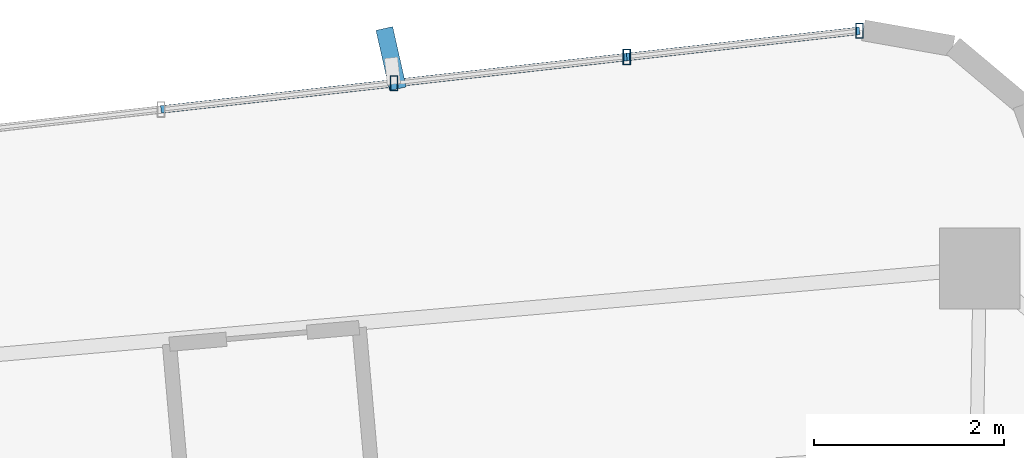
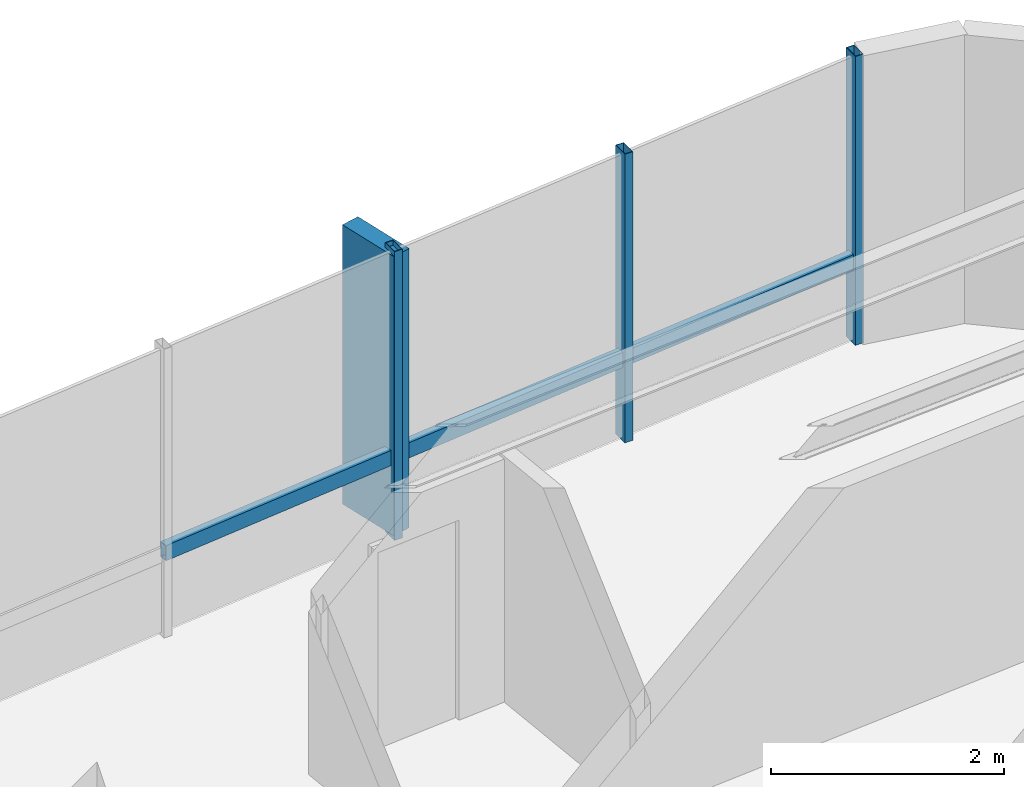
# One storey, part 18 of 24: 7 members, 1 element without a shape of its own.
"""IFC4 building model written with IfcOpenShell, lengths in metres."""

from ifc_helpers import new_model, si_unit, direction, frame, origin, origin_2d, place, context, subcontext, project, spatial, rectangle, hollow_rectangle, extrude, source, transform, mapped, material, material_profile, profile_set, type_object, element, aggregate, save


model = new_model("IFC4")

# Units and contexts
model_context = context("Model", 3, precision=1e-05, world=origin(), true_north=direction((0.0, 1.0)))
body_context = subcontext(model_context, "Body", "Model", "MODEL_VIEW")
ifc_project = project(units=[si_unit("LENGTHUNIT", "METRE"), si_unit("AREAUNIT", "SQUARE_METRE"), si_unit("VOLUMEUNIT", "CUBIC_METRE"), si_unit("PLANEANGLEUNIT", "RADIAN"), si_unit("MASSUNIT", "GRAM", prefix="KILO")], contexts=[model_context])

# Site, building, storey
site_placement = place(None, origin())
site = spatial("IfcSite", under=ifc_project, at=site_placement, CompositionType="ELEMENT")
building_placement = place(site_placement, origin())
building = spatial("IfcBuilding", under=site, at=building_placement, Name="Sahyath Konkavel Grand Hotel", CompositionType="ELEMENT")
storey_placement = place(building_placement, frame((0.0, 0.0, 198.64990234375)))
storey = spatial("IfcBuildingStorey", under=building, at=storey_placement, Name="L55", CompositionType="ELEMENT", Elevation=198.64990234375)

# Curtain wall, members
ifc_material_1 = material(Name="Anodised Bronze Aluminium & Low-E Glazing", Category="aluminium")
curtain_wall_type = type_object("IfcCurtainWallType", Name="CW-ZONE3", PredefinedType="NOTDEFINED", material=ifc_material_1)
curtain_wall_placement = place(storey_placement, origin())
curtain_wall = element("IfcCurtainWall", 1, at=curtain_wall_placement, inside=storey, type_object=curtain_wall_type, Name="L55 Unitised Curtain Wall F12", PredefinedType="NOTDEFINED")
ifc_material_2 = material(Name="Anodised Bronze Aluminium", Category="aluminium")
ifc_material_profile_1 = material_profile(ifc_material_2, hollow_rectangle(XDim=0.080078125, YDim=0.159912109375, WallThickness=0.006103515625, at=origin_2d()), Name="RHS 160x80x6")
ifc_profile_set_1 = profile_set([ifc_material_profile_1], Name="Anodised Bronze Aluminium")
member_type_1 = type_object("IfcMemberType", Name="CW-MUL-160", PredefinedType="MULLION", material=ifc_profile_set_1)
shared_shape_1 = source(origin(), body_context, "Body", "SweptSolid", [
    extrude(hollow_rectangle(XDim=0.080078125, YDim=0.159912109375, WallThickness=0.006103515625, at=origin_2d()), origin(), (0.0, 0.0, 1.0), 3.030029296875),
])
member_1_placement = place(storey_placement, frame((2.673828125, 20.610595703125, 0.0), z_axis=(0.0, 0.0, 1.0), x_axis=(1.0, 0.0, 0.0)))
member_1 = element("IfcMember", 2, at=member_1_placement, type_object=member_type_1, Name="L55 Curtain Wall Mullion F12-0", PredefinedType="MULLION", context=body_context, shape_type="MappedRepresentation", body=[
    mapped(shared_shape_1, transform((0.0, 0.0, 0.0), scale=1.0)),
])
member_2_placement = place(storey_placement, frame((0.227294921875, 20.334716796875, 0.0), z_axis=(0.0, 0.0, 1.0), x_axis=(1.0, 0.0, 0.0)))
member_2 = element("IfcMember", 3, at=member_2_placement, type_object=member_type_1, Name="L55 Curtain Wall Mullion F12-1", PredefinedType="MULLION", context=body_context, shape_type="MappedRepresentation", body=[
    mapped(shared_shape_1, transform((0.0, 0.0, 0.0), scale=1.0)),
])
member_3_placement = place(storey_placement, frame((-2.21923828125, 20.05908203125, 0.0), z_axis=(0.0, 0.0, 1.0), x_axis=(1.0, 0.0, 0.0)))
member_3 = element("IfcMember", 4, at=member_3_placement, type_object=member_type_1, Name="L55 Curtain Wall Mullion F12-2", PredefinedType="MULLION", context=body_context, shape_type="MappedRepresentation", body=[
    mapped(shared_shape_1, transform((0.0, 0.0, 0.0), scale=1.0)),
])
ifc_material_3 = material(Name="Warm Buff Sandstone Cladding on Concrete C50/60", Category="masonry")
ifc_material_profile_2 = material_profile(ifc_material_3, rectangle(XDim=0.179931640625, YDim=0.64990234375, at=origin_2d()), Name="FIN 180x650")
ifc_profile_set_2 = profile_set([ifc_material_profile_2], Name="Warm Buff Sandstone Cladding on Concrete C50/60")
member_type_2 = type_object("IfcMemberType", Name="FIN-SANDSTONE-650", PredefinedType="MULLION", material=ifc_profile_set_2)
shared_shape_2 = source(origin(), body_context, "Body", "SweptSolid", [
    extrude(rectangle(XDim=0.179931640625, YDim=0.64990234375, at=origin_2d()), origin(), (0.0, 0.0, 1.0), 2.929931640625),
])
member_4_placement = place(storey_placement, frame((-2.248291015625, 20.3173828125, 0.050048828125), z_axis=(0.0, 0.0, 1.0), x_axis=(0.975419299024, 0.220356962886, 0.0)))
member_4 = element("IfcMember", 5, at=member_4_placement, type_object=member_type_2, Name="L55 Sandstone Vertical Solar Fin FIN F12-2", PredefinedType="MULLION", context=body_context, shape_type="MappedRepresentation", body=[
    mapped(shared_shape_2, transform((0.0, 0.0, 0.0), scale=1.0)),
])
ifc_material_profile_3 = material_profile(ifc_material_2, hollow_rectangle(XDim=0.080078125, YDim=0.159912109375, WallThickness=0.006103515625, at=origin_2d()), Name="RHS 160x80x6")
ifc_profile_set_3 = profile_set([ifc_material_profile_3], Name="Anodised Bronze Aluminium")
member_type_3 = type_object("IfcMemberType", Name="CW-TRN-160", PredefinedType="USERDEFINED", material=ifc_profile_set_3)
shared_shape_3 = source(origin(), body_context, "Body", "SweptSolid", [
    extrude(hollow_rectangle(XDim=0.080078125, YDim=0.159912109375, WallThickness=0.006103515625, at=origin_2d()), origin(), (0.0, 0.0, 1.0), 2.462158203125),
])
member_5_placement = place(storey_placement, frame((2.673828125, 20.610595703125, 0.85009765625), z_axis=(-0.99370222711, -0.112053040279, 0.0), x_axis=(0.112053040279, -0.99370222711, 0.0)))
member_5 = element("IfcMember", 6, at=member_5_placement, type_object=member_type_3, Name="L55 Curtain Wall Transom F12-0-spandrel", ObjectType="TRANSOM", PredefinedType="USERDEFINED", context=body_context, shape_type="MappedRepresentation", body=[
    mapped(shared_shape_3, transform((0.0, 0.0, 0.0), scale=1.0)),
])
member_6_placement = place(storey_placement, frame((-2.21923828125, 20.05908203125, 0.85009765625), z_axis=(-0.99370222711, -0.112053040279, 0.0), x_axis=(0.112053040279, -0.99370222711, 0.0)))
member_6 = element("IfcMember", 7, at=member_6_placement, type_object=member_type_3, Name="L55 Curtain Wall Transom F12-2-spandrel", ObjectType="TRANSOM", PredefinedType="USERDEFINED", context=body_context, shape_type="MappedRepresentation", body=[
    mapped(shared_shape_3, transform((0.0, 0.0, 0.0), scale=1.0)),
])
shared_shape_4 = source(origin(), body_context, "Body", "SweptSolid", [
    extrude(hollow_rectangle(XDim=0.080078125, YDim=0.159912109375, WallThickness=0.006103515625, at=origin_2d()), origin(), (0.0, 0.0, 1.0), 2.4619140625),
])
member_7_placement = place(storey_placement, frame((0.227294921875, 20.334716796875, 0.85009765625), z_axis=(-0.993713263833, -0.111955121731, 0.0), x_axis=(0.111955121731, -0.993713263833, 0.0)))
member_7 = element("IfcMember", 8, at=member_7_placement, type_object=member_type_3, Name="L55 Curtain Wall Transom F12-1-spandrel", ObjectType="TRANSOM", PredefinedType="USERDEFINED", context=body_context, shape_type="MappedRepresentation", body=[
    mapped(shared_shape_4, transform((0.0, 0.0, 0.0), scale=1.0)),
])
aggregate(curtain_wall, [member_1, member_2, member_3, member_4, member_5, member_7, member_6])

save(model, "model.ifc")
